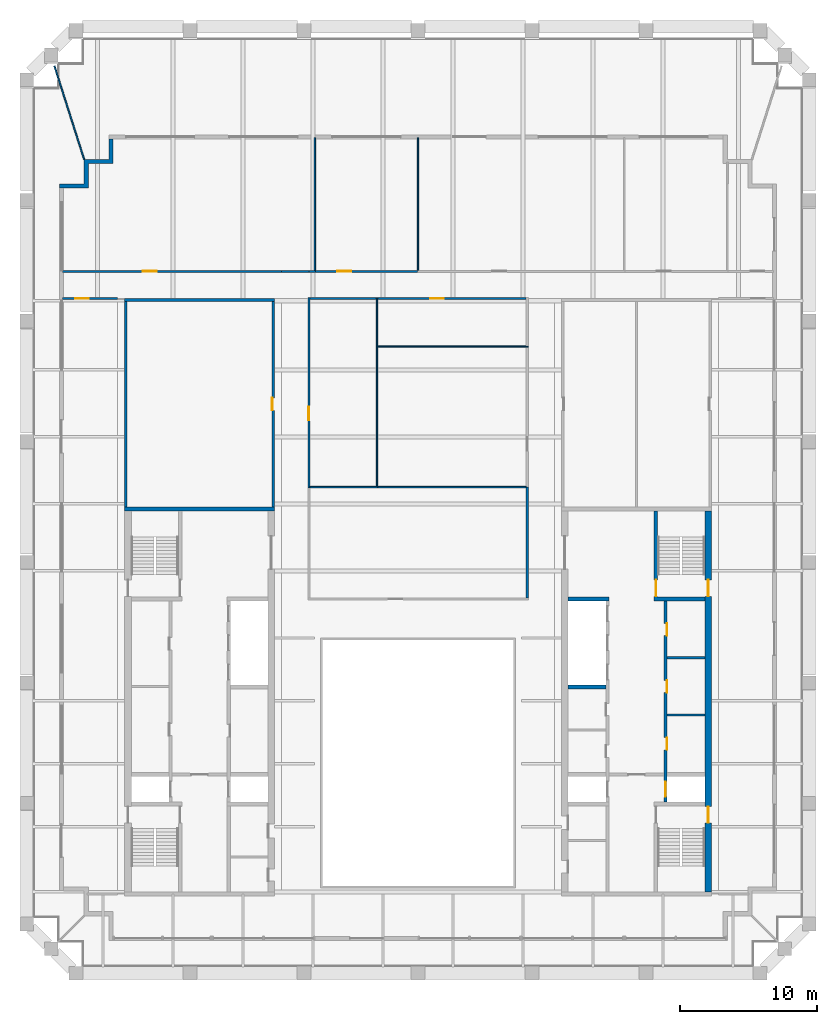
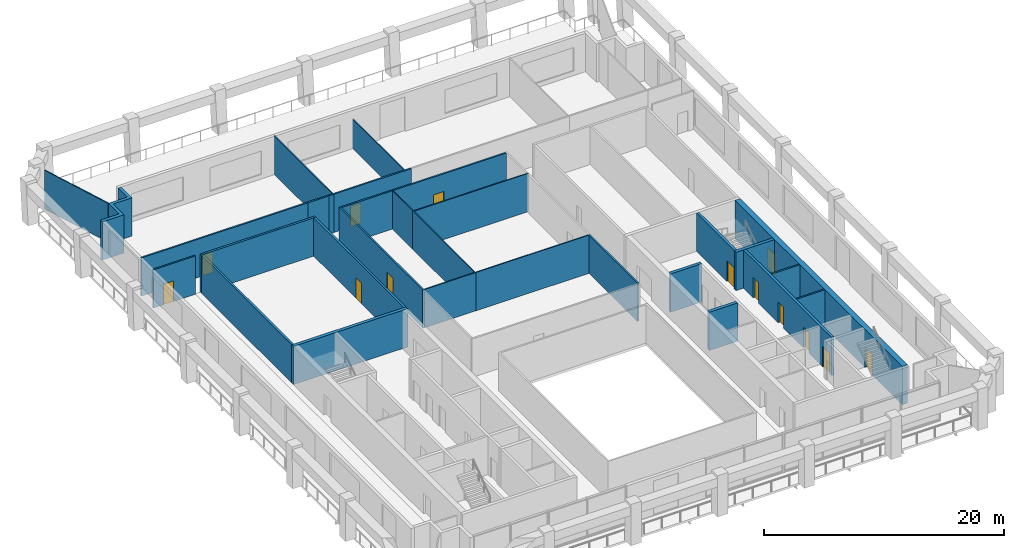
# One storey, part 7 of 10: 30 walls, 13 doors, 13 openings.
"""IFC4 building model written with IfcOpenShell, lengths in metres."""

import ifcopenshell
import ifcopenshell.guid

model = None  # the IFC model being written
_history = None  # IfcOwnerHistory: only IFC2X3 demands one
_inside = {}  # id of a spatial element -> (the spatial element, [elements in it])
_under = {}  # id of a project, library or spatial element -> (it, [spatial elements below it])
_declared = {}  # id of a project -> (the project, [libraries it declares])
_typed = {}  # id of a type object -> (the type object, [elements of that type])
_made_of = {}  # id of a material, layer set ... -> (it, [elements and type objects made of it])


def new_model(schema):
    """Start an empty IFC model of exactly this schema.

    Asked for "IFC4X3", IfcOpenShell would pick the latest addendum, in which some entities
    have other attributes; the version numbers below select the first issue.
    IFC2X3 requires an IfcOwnerHistory on every rooted entity: one is made here for all.
    """
    global model, _history
    if schema == "IFC4X3":
        model = ifcopenshell.file(schema_version=(4, 3, 0, 0))
    else:
        model = ifcopenshell.file(schema=schema)
    _inside.clear()
    _under.clear()
    _declared.clear()
    _typed.clear()
    _made_of.clear()
    _history = None
    if model.schema == "IFC2X3":
        org = make("IfcOrganization", Name="unknown")
        user = make(
            "IfcPersonAndOrganization",
            ThePerson=make("IfcPerson", FamilyName="unknown"),
            TheOrganization=org,
        )
        app = make(
            "IfcApplication",
            ApplicationDeveloper=org,
            Version="unknown",
            ApplicationFullName="unknown",
            ApplicationIdentifier="unknown",
        )
        _history = make(
            "IfcOwnerHistory",
            OwningUser=user,
            OwningApplication=app,
            ChangeAction="ADDED",
            CreationDate=0,
        )
    return model


def make(cls, **values):
    """One entity of the class cls with the attributes given. An attribute that is None is left unset."""
    return model.create_entity(
        cls, **{name: value for name, value in values.items() if value is not None}
    )


def rooted(cls, **values):
    """An entity with a GlobalId (a new one), such as an element, a storey or a relation."""
    return make(cls, GlobalId=ifcopenshell.guid.new(), OwnerHistory=_history, **values)


def si_unit(unit_type, name, prefix=None):
    """IfcSIUnit, for example si_unit("LENGTHUNIT", "METRE", prefix="MILLI")."""
    return make("IfcSIUnit", UnitType=unit_type, Prefix=prefix, Name=name)


def assignment(units):
    """IfcUnitAssignment: the units of a project."""
    return None if units is None else make("IfcUnitAssignment", Units=units)


def point(xyz):
    """IfcCartesianPoint."""
    return None if xyz is None else make("IfcCartesianPoint", Coordinates=xyz)


def direction(xyz):
    """IfcDirection."""
    return None if xyz is None else make("IfcDirection", DirectionRatios=xyz)


def frame(location, z_axis=None, x_axis=None):
    """IfcAxis2Placement3D, a coordinate frame: its origin and axes. An axis left out is left unset."""
    return make(
        "IfcAxis2Placement3D",
        Location=point(location),
        Axis=direction(z_axis),
        RefDirection=direction(x_axis),
    )


def frame_2d(location, x_axis=None):
    """IfcAxis2Placement2D, a coordinate frame in the plane: its origin and x axis."""
    return make(
        "IfcAxis2Placement2D", Location=point(location), RefDirection=direction(x_axis)
    )


def origin():
    """The frame at (0, 0, 0) with its axes left unset."""
    return frame((0.0, 0.0, 0.0))


def place(relative_to, where):
    """IfcLocalPlacement: puts the frame where relative to a parent placement (None: the world)."""
    return make(
        "IfcLocalPlacement", PlacementRelTo=relative_to, RelativePlacement=where
    )


def context(
    kind, dimensions, precision=None, world=None, true_north=None, identifier=None
):
    """IfcGeometricRepresentationContext, for example the 3D "Model" context."""
    return make(
        "IfcGeometricRepresentationContext",
        ContextIdentifier=identifier,
        ContextType=kind,
        CoordinateSpaceDimension=dimensions,
        Precision=precision,
        WorldCoordinateSystem=world,
        TrueNorth=true_north,
    )


def subcontext(parent, identifier, kind, view, scale=None):
    """IfcGeometricRepresentationSubContext, for example "Body" below "Model"."""
    return make(
        "IfcGeometricRepresentationSubContext",
        ContextIdentifier=identifier,
        ContextType=kind,
        ParentContext=parent,
        TargetScale=scale,
        TargetView=view,
    )


def project(units=None, contexts=None):
    """IfcProject with its units and contexts."""
    return rooted(
        "IfcProject",
        Name="project",
        RepresentationContexts=contexts,
        UnitsInContext=assignment(units),
    )


def spatial(cls, under=None, at=None, **own):
    """A site, building, storey or space (cls), placed at a placement, below another one or the project."""
    s = rooted(cls, ObjectPlacement=at, **own)
    if under is not None:
        _under.setdefault(under.id(), (under, []))[1].append(s)
    return s


def polyline(points):
    """IfcPolyline through the points."""
    return make("IfcPolyline", Points=[point(p) for p in points])


def profile(cls, at=None, kind="AREA", **sizes):
    """A parametric profile (cls). Its sizes go by their IFC names, for example OverallWidth=200.0."""
    return make(cls, ProfileType=kind, Position=at, **sizes)


def rectangle(**sizes):
    """IfcRectangleProfileDef."""
    return profile("IfcRectangleProfileDef", **sizes)


def outline(outer, holes=None, kind="AREA"):
    """IfcArbitraryClosedProfileDef: a profile drawn as a closed curve; with holes, ...WithVoids."""
    if holes is None:
        return make("IfcArbitraryClosedProfileDef", ProfileType=kind, OuterCurve=outer)
    return make(
        "IfcArbitraryProfileDefWithVoids",
        ProfileType=kind,
        OuterCurve=outer,
        InnerCurves=holes,
    )


def extrude(swept, where, along, depth):
    """IfcExtrudedAreaSolid: the profile swept, set in the frame where, extruded along a direction by depth."""
    return make(
        "IfcExtrudedAreaSolid",
        SweptArea=swept,
        Position=where,
        ExtrudedDirection=direction(along),
        Depth=depth,
    )


def shape(context_of_items, identifier, shape_type, items):
    """IfcShapeRepresentation: the items that make up one representation, for example the "Body"."""
    return make(
        "IfcShapeRepresentation",
        ContextOfItems=context_of_items,
        RepresentationIdentifier=identifier,
        RepresentationType=shape_type,
        Items=items,
    )


def material(Name=None, Category=None):
    """IfcMaterial."""
    return make("IfcMaterial", Name=Name, Category=Category)


def layer(
    of_material, thickness, ventilated=None, Name=None, Category=None, Priority=None
):
    """IfcMaterialLayer: one layer of a wall or slab, of a material (None: an air gap)."""
    return make(
        "IfcMaterialLayer",
        Material=of_material,
        LayerThickness=thickness,
        IsVentilated=ventilated,
        Name=Name,
        Category=Category,
        Priority=Priority,
    )


def layer_set(layers, Name=None):
    """IfcMaterialLayerSet."""
    return make("IfcMaterialLayerSet", MaterialLayers=layers, LayerSetName=Name)


def made_of(thing, what):
    """Note that an element or type object is made of a material, layer set ...; save() writes the relation."""
    if what is not None:
        _made_of.setdefault(what.id(), (what, []))[1].append(thing)
    return thing


def type_object(cls, material=None, **own):
    """A type object (cls), such as IfcWallType, which elements share."""
    return made_of(rooted(cls, **own), material)


def element(
    cls,
    number,
    at=None,
    inside=None,
    cuts=None,
    type_object=None,
    material=None,
    context=None,
    identifier="Body",
    shape_type=None,
    held_by="IfcProductDefinitionShape",
    body=None,
    shapes=None,
    **own,
):
    """One element of the class cls, such as IfcWall. Its Tag is "e" and its number.

    at: its placement. inside: the storey or other place that contains it. cuts: it is an
    opening in that element (IfcRelVoidsElement). A single representation is given by context,
    identifier, shape_type and body (its items); several are given by shapes. held_by: the class
    of the entity that holds the representations. save() writes the other relations.
    """
    e = rooted(cls, Tag="e%d" % number, ObjectPlacement=at, **own)
    if body is not None:
        shapes = [shape(context, identifier, shape_type, body)]
    if shapes is not None:
        e.Representation = make(held_by, Representations=shapes)
    if inside is not None:
        _inside.setdefault(inside.id(), (inside, []))[1].append(e)
    if cuts is not None:
        rooted(
            "IfcRelVoidsElement", RelatingBuildingElement=cuts, RelatedOpeningElement=e
        )
    if type_object is not None:
        _typed.setdefault(type_object.id(), (type_object, []))[1].append(e)
    return made_of(e, material)


def fill(opening, filler):
    """IfcRelFillsElement: the door or window that sits in an opening."""
    return rooted(
        "IfcRelFillsElement",
        RelatingOpeningElement=opening,
        RelatedBuildingElement=filler,
    )


def aggregate(whole, parts):
    """IfcRelAggregates: a whole, such as a stair, and the parts it consists of."""
    return rooted("IfcRelAggregates", RelatingObject=whole, RelatedObjects=parts)


def save(model, path):
    """Write the relations noted so far, then the file.

    IfcRelAggregates (storeys below a building ...), IfcRelContainedInSpatialStructure (elements
    in a storey), IfcRelDefinesByType, IfcRelAssociatesMaterial and IfcRelDeclares: one each for
    every whole, place, type object, material and project.
    """
    for whole, parts in _under.values():
        aggregate(whole, parts)
    for where, things in _inside.values():
        rooted(
            "IfcRelContainedInSpatialStructure",
            RelatedElements=things,
            RelatingStructure=where,
        )
    for kind, things in _typed.values():
        rooted("IfcRelDefinesByType", RelatedObjects=things, RelatingType=kind)
    for what, things in _made_of.values():
        rooted("IfcRelAssociatesMaterial", RelatedObjects=things, RelatingMaterial=what)
    for by, libraries in _declared.values():
        rooted("IfcRelDeclares", RelatingContext=by, RelatedDefinitions=libraries)
    model.write(path)


model = new_model("IFC4")

# Units and contexts
model_context = context("Model", 3, precision=1e-05, world=origin(), true_north=direction((0.0, 1.0)))
body_context = subcontext(model_context, "Body", "Model", "MODEL_VIEW")
ifc_project = project(units=[si_unit("LENGTHUNIT", "METRE"), si_unit("AREAUNIT", "SQUARE_METRE"), si_unit("VOLUMEUNIT", "CUBIC_METRE"), si_unit("PLANEANGLEUNIT", "RADIAN"), si_unit("MASSUNIT", "GRAM", prefix="KILO")], contexts=[model_context])

# Site, building, storey
site_placement = place(None, origin())
site = spatial("IfcSite", under=ifc_project, at=site_placement, CompositionType="ELEMENT")
building_placement = place(site_placement, origin())
building = spatial("IfcBuilding", under=site, at=building_placement, Name="Ogive Exchange Tower", CompositionType="ELEMENT")
storey_placement = place(building_placement, frame((0.0, 0.0, 359.39990234375)))
storey = spatial("IfcBuildingStorey", under=building, at=storey_placement, Name="L79", CompositionType="ELEMENT", Elevation=359.39990234375)

# Walls
ifc_material_1 = material(Name="Gypsum board partition")
ifc_layer_1 = layer(ifc_material_1, 0.14990234375)
ifc_layer_set_1 = layer_set([ifc_layer_1], Name="Core room partition 150 gypsum")
wall_type_1 = type_object("IfcWallType", Name="Core room partition 150 gypsum", PredefinedType="PARTITIONING", material=ifc_layer_set_1)
for number, where, z_axis, x_axis, name in (
    (1, (18.25, 10.5, 0.0), (0.0, 0.0, 1.0), (1.0, 0.0, 0.0), "E row A bay partition 1-1"),
    (2, (18.25, 14.699951171875, 0.0), (0.0, 0.0, 1.0), (1.0, 0.0, 0.0), "E row A bay partition 1-2"),
):
    element("IfcWall", number, at=place(storey_placement, frame(where, z_axis=z_axis, x_axis=x_axis)), inside=storey, type_object=wall_type_1, Name=name, PredefinedType="PARTITIONING", context=body_context, shape_type="SweptSolid", body=[
        extrude(rectangle(XDim=2.75, YDim=0.14990234375, at=frame_2d((1.375, 0.0))), origin(), (0.0, 0.0, 1.0), 3.900146484375),
    ])

# Wall, opening, door
ifc_material_2 = material(Name="Fire partition EI 60 150")
ifc_layer_2 = layer(ifc_material_2, 0.14990234375)
ifc_layer_set_2 = layer_set([ifc_layer_2], Name="Fire partition EI 60 150")
wall_type_2 = type_object("IfcWallType", Name="Fire partition EI 60 150", PredefinedType="PARTITIONING", material=ifc_layer_set_2)
wall_1_placement = place(storey_placement, frame((-26.050048828125, 43.0, 0.0), z_axis=(0.0, 0.0, 1.0), x_axis=(1.0, 0.0, 0.0)))
wall_1 = element("IfcWall", 3, at=wall_1_placement, inside=storey, type_object=wall_type_2, Name="L79-PWL-001", PredefinedType="PARTITIONING", context=body_context, shape_type="SweptSolid", body=[
    extrude(rectangle(XDim=16.050048828125, YDim=0.14990234375, at=frame_2d((8.02490234375, 0.0))), origin(), (0.0, 0.0, 1.0), 3.900146484375),
])
opening_1_placement = place(wall_1_placement, frame((5.89990234375, 0.0, 0.0)))
opening_1 = element("IfcOpeningElement", 4, at=opening_1_placement, cuts=wall_1, Name="Opening L79-I05", PredefinedType="OPENING", context=body_context, shape_type="SweptSolid", body=[
    extrude(rectangle(XDim=1.0, YDim=2.10009765625, at=frame_2d((0.5, 1.050048828125))), frame((0.0, 0.0849609375, 0.0), z_axis=(0.0, -1.0, 0.0), x_axis=(1.0, 0.0, 0.0)), (0.0, 0.0, 1.0), 0.169921875),
])
ifc_material_3 = material(Name="Fire door FD 30S 1000 x 2100")
door_type_1 = type_object("IfcDoorType", Name="Fire door FD 30S 1000 x 2100", OperationType="NOTDEFINED", PredefinedType="DOOR", material=ifc_material_3)
door_1_placement = place(opening_1_placement, origin())
door_1 = element("IfcDoor", 5, at=door_1_placement, inside=storey, type_object=door_type_1, Name="L79-IDR-005", ObjectType="DT3", OperationType="SINGLE_SWING_LEFT", OverallHeight=2.10009765625, OverallWidth=1.0, PredefinedType="DOOR", context=body_context, shape_type="SweptSolid", body=[
    extrude(rectangle(XDim=1.0, YDim=2.10009765625, at=frame_2d((0.5, 1.050048828125))), frame((0.0, 0.02490234375, 0.0), z_axis=(0.0, -1.0, 0.0), x_axis=(1.0, 0.0, 0.0)), (0.0, 0.0, 1.0), 0.050048828125),
])
fill(opening_1, door_1)

wall_2_placement = place(storey_placement, frame((-22.0, 41.0, 0.0), z_axis=(0.0, 0.0, 1.0), x_axis=(-1.0, 0.0, 0.0)))
wall_2 = element("IfcWall", 6, at=wall_2_placement, inside=storey, type_object=wall_type_2, Name="L79-PWL-003", PredefinedType="PARTITIONING", context=body_context, shape_type="SweptSolid", body=[
    extrude(rectangle(XDim=4.050048828125, YDim=0.14990234375, at=frame_2d((2.02490234375, 0.0))), origin(), (0.0, 0.0, 1.0), 3.900146484375),
])
opening_2_placement = place(wall_2_placement, frame((2.10009765625, 0.0, 0.0)))
opening_2 = element("IfcOpeningElement", 7, at=opening_2_placement, cuts=wall_2, Name="Opening L79-I10", PredefinedType="OPENING", context=body_context, shape_type="SweptSolid", body=[
    extrude(rectangle(XDim=1.0, YDim=2.10009765625, at=frame_2d((0.5, 1.050048828125))), frame((0.0, 0.0849609375, 0.0), z_axis=(0.0, -1.0, 0.0), x_axis=(1.0, 0.0, 0.0)), (0.0, 0.0, 1.0), 0.169921875),
])
door_2_placement = place(opening_2_placement, origin())
door_2 = element("IfcDoor", 8, at=door_2_placement, inside=storey, type_object=door_type_1, Name="L79-IDR-010", ObjectType="DT3", OperationType="SINGLE_SWING_LEFT", OverallHeight=2.10009765625, OverallWidth=1.0, PredefinedType="DOOR", context=body_context, shape_type="SweptSolid", body=[
    extrude(rectangle(XDim=1.0, YDim=2.10009765625, at=frame_2d((0.5, 1.050048828125))), frame((0.0, 0.02490234375, 0.0), z_axis=(0.0, -1.0, 0.0), x_axis=(1.0, 0.0, 0.0)), (0.0, 0.0, 1.0), 0.050048828125),
])
fill(opening_2, door_2)

# Wall
wall_3_placement = place(storey_placement, frame((-10.0, 43.0, 0.0), z_axis=(0.0, 0.0, 1.0), x_axis=(1.0, 0.0, 0.0)))
element("IfcWall", 9, at=wall_3_placement, inside=storey, type_object=wall_type_2, Name="L79-PWL-004", PredefinedType="PARTITIONING", context=body_context, shape_type="SweptSolid", body=[
    extrude(rectangle(XDim=2.0, YDim=0.14990234375, at=frame_2d((1.0, 0.0))), origin(), (0.0, 0.0, 1.0), 3.900146484375),
])

# Wall, opening, door
wall_4_placement = place(storey_placement, frame((-8.0, 41.074951171875, 0.0), z_axis=(0.0, 0.0, 1.0), x_axis=(0.0, -1.0, 0.0)))
wall_4 = element("IfcWall", 10, at=wall_4_placement, inside=storey, type_object=wall_type_2, Name="L79-PWL-007", PredefinedType="PARTITIONING", context=body_context, shape_type="SweptSolid", body=[
    extrude(rectangle(XDim=13.925048828125, YDim=0.14990234375, at=frame_2d((6.96240234375, 0.0))), origin(), (0.0, 0.0, 1.0), 3.900146484375),
])
opening_3_placement = place(wall_4_placement, frame((7.97509765625, 0.0, 0.0)))
opening_3 = element("IfcOpeningElement", 11, at=opening_3_placement, cuts=wall_4, Name="Opening L79-I08", PredefinedType="OPENING", context=body_context, shape_type="SweptSolid", body=[
    extrude(rectangle(XDim=1.0, YDim=2.10009765625, at=frame_2d((0.5, 1.050048828125))), frame((0.0, 0.0849609375, 0.0), z_axis=(0.0, -1.0, 0.0), x_axis=(1.0, 0.0, 0.0)), (0.0, 0.0, 1.0), 0.169921875),
])
door_3_placement = place(opening_3_placement, origin())
door_3 = element("IfcDoor", 12, at=door_3_placement, inside=storey, type_object=door_type_1, Name="L79-IDR-008", ObjectType="DT3", OperationType="SINGLE_SWING_RIGHT", OverallHeight=2.10009765625, OverallWidth=1.0, PredefinedType="DOOR", context=body_context, shape_type="SweptSolid", body=[
    extrude(rectangle(XDim=1.0, YDim=2.10009765625, at=frame_2d((0.5, 1.050048828125))), frame((0.0, 0.02490234375, 0.0), z_axis=(0.0, -1.0, 0.0), x_axis=(1.0, 0.0, 0.0)), (0.0, 0.0, 1.0), 0.050048828125),
])
fill(opening_3, door_3)

# Wall
wall_5_placement = place(storey_placement, frame((-8.0, 43.0, 0.0), z_axis=(0.0, 0.0, 1.0), x_axis=(1.0, 0.0, 0.0)))
element("IfcWall", 13, at=wall_5_placement, inside=storey, type_object=wall_type_2, Name="L79-PWL-008", PredefinedType="PARTITIONING", context=body_context, shape_type="SweptSolid", body=[
    extrude(rectangle(XDim=0.5, YDim=0.14990234375, at=frame_2d((0.25, 0.0))), origin(), (0.0, 0.0, 1.0), 3.900146484375),
])

# Wall, opening, door
wall_6_placement = place(storey_placement, frame((-7.550048828125, 43.0, 0.0), z_axis=(0.0, 0.0, 1.0), x_axis=(1.0, 0.0, 0.0)))
wall_6 = element("IfcWall", 14, at=wall_6_placement, inside=storey, type_object=wall_type_2, Name="L79-PWL-010", PredefinedType="PARTITIONING", context=body_context, shape_type="SweptSolid", body=[
    extrude(rectangle(XDim=7.5, YDim=0.14990234375, at=frame_2d((3.75, 0.0))), origin(), (0.0, 0.0, 1.0), 3.900146484375),
])
opening_4_placement = place(wall_6_placement, frame((1.64990234375, 0.0, 0.0)))
opening_4 = element("IfcOpeningElement", 15, at=opening_4_placement, cuts=wall_6, Name="Opening L79-I01", PredefinedType="OPENING", context=body_context, shape_type="SweptSolid", body=[
    extrude(rectangle(XDim=1.0, YDim=2.10009765625, at=frame_2d((0.5, 1.050048828125))), frame((0.0, 0.0849609375, 0.0), z_axis=(0.0, -1.0, 0.0), x_axis=(1.0, 0.0, 0.0)), (0.0, 0.0, 1.0), 0.169921875),
])
door_4_placement = place(opening_4_placement, origin())
door_4 = element("IfcDoor", 16, at=door_4_placement, inside=storey, type_object=door_type_1, Name="L79-IDR-001", ObjectType="DT3", OperationType="SINGLE_SWING_RIGHT", OverallHeight=2.10009765625, OverallWidth=1.0, PredefinedType="DOOR", context=body_context, shape_type="SweptSolid", body=[
    extrude(rectangle(XDim=1.0, YDim=2.10009765625, at=frame_2d((0.5, 1.050048828125))), frame((0.0, 0.02490234375, 0.0), z_axis=(0.0, -1.0, 0.0), x_axis=(1.0, 0.0, 0.0)), (0.0, 0.0, 1.0), 0.050048828125),
])
fill(opening_4, door_4)

# Walls
wall_7_placement = place(storey_placement, frame((-3.050048828125, 41.0, 0.0), z_axis=(0.0, 0.0, 1.0), x_axis=(-1.0, 0.0, 0.0)))
element("IfcWall", 17, at=wall_7_placement, inside=storey, type_object=wall_type_2, Name="L79-PWL-015", PredefinedType="PARTITIONING", context=body_context, shape_type="SweptSolid", body=[
    extrude(rectangle(XDim=4.875, YDim=0.14990234375, at=frame_2d((2.4375, 0.0))), origin(), (0.0, 0.0, 1.0), 3.900146484375),
])
wall_8_placement = place(storey_placement, frame((8.0, 19.074951171875, 0.0), z_axis=(0.0, 0.0, 1.0), x_axis=(0.0, 1.0, 0.0)))
element("IfcWall", 18, at=wall_8_placement, inside=storey, type_object=wall_type_2, Name="L79-PWL-018", PredefinedType="PARTITIONING", context=body_context, shape_type="SweptSolid", body=[
    extrude(rectangle(XDim=8.125, YDim=0.14990234375, at=frame_2d((4.0625, 0.0))), origin(), (0.0, 0.0, 1.0), 3.900146484375),
])

# Wall, opening, door
wall_9_placement = place(storey_placement, frame((7.925048828125, 41.0, 0.0), z_axis=(0.0, 0.0, 1.0), x_axis=(-1.0, 0.0, 0.0)))
wall_9 = element("IfcWall", 19, at=wall_9_placement, inside=storey, type_object=wall_type_2, Name="L79-PWL-022", PredefinedType="PARTITIONING", context=body_context, shape_type="SweptSolid", body=[
    extrude(rectangle(XDim=10.875, YDim=0.14990234375, at=frame_2d((5.4375, 0.0))), origin(), (0.0, 0.0, 1.0), 3.900146484375),
])
opening_5_placement = place(wall_9_placement, frame((6.02490234375, 0.0, 0.0)))
opening_5 = element("IfcOpeningElement", 20, at=opening_5_placement, cuts=wall_9, Name="Opening L79-I07", PredefinedType="OPENING", context=body_context, shape_type="SweptSolid", body=[
    extrude(rectangle(XDim=1.0, YDim=2.10009765625, at=frame_2d((0.5, 1.050048828125))), frame((0.0, 0.0849609375, 0.0), z_axis=(0.0, -1.0, 0.0), x_axis=(1.0, 0.0, 0.0)), (0.0, 0.0, 1.0), 0.169921875),
])
door_5_placement = place(opening_5_placement, origin())
door_5 = element("IfcDoor", 21, at=door_5_placement, inside=storey, type_object=door_type_1, Name="L79-IDR-007", ObjectType="DT3", OperationType="SINGLE_SWING_LEFT", OverallHeight=2.10009765625, OverallWidth=1.0, PredefinedType="DOOR", context=body_context, shape_type="SweptSolid", body=[
    extrude(rectangle(XDim=1.0, YDim=2.10009765625, at=frame_2d((0.5, 1.050048828125))), frame((0.0, 0.02490234375, 0.0), z_axis=(0.0, -1.0, 0.0), x_axis=(1.0, 0.0, 0.0)), (0.0, 0.0, 1.0), 0.050048828125),
])
fill(opening_5, door_5)

# Walls
ifc_material_4 = material(Name="Precast concrete C40/50", Category="concrete")
ifc_layer_3 = layer(ifc_material_4, 0.300048828125)
ifc_layer_set_3 = layer_set([ifc_layer_3], Name="Limestone-faced wall 300")
wall_type_3 = type_object("IfcWallType", Name="Limestone-faced wall 300", PredefinedType="STANDARD", material=ifc_layer_set_3)
wall_10_placement = place(storey_placement, origin())
element("IfcWall", 22, at=wall_10_placement, inside=storey, type_object=wall_type_3, Name="External corner wall C3", PredefinedType="STANDARD", context=body_context, shape_type="SweptSolid", body=[
    extrude(outline(polyline([(-24.449951171875, 49.39990234375), (-24.449951171875, 51.199951171875), (-22.64990234375, 51.199951171875), (-22.64990234375, 52.699951171875), (-22.35009765625, 52.699951171875), (-22.35009765625, 50.89990234375), (-24.14990234375, 50.89990234375), (-24.14990234375, 49.10009765625), (-26.25, 49.10009765625), (-26.25, 49.39990234375), (-24.449951171875, 49.39990234375)])), origin(), (0.0, 0.0, 1.0), 3.900146484375),
])
ifc_material_5 = material(Name="Laminated safety glass in steel frame", Category="steel")
ifc_layer_4 = layer(ifc_material_5, 0.10009765625)
ifc_layer_set_4 = layer_set([ifc_layer_4], Name="Loggia end screen 100")
wall_type_4 = type_object("IfcWallType", Name="Loggia end screen 100", PredefinedType="STANDARD", material=ifc_layer_set_4)
wall_11_placement = place(storey_placement, frame((-24.449951171875, 51.199951171875, -0.0498046875), z_axis=(0.0, 0.0, 1.0), x_axis=(-0.303785175512, 0.952740556048, 0.0)))
element("IfcWall", 23, at=wall_11_placement, inside=storey, type_object=wall_type_4, Name="Loggia end screen C3", PredefinedType="STANDARD", context=body_context, shape_type="SweptSolid", body=[
    extrude(rectangle(XDim=7.173583984375, YDim=0.10009765625, at=frame_2d((3.5869140625, 0.0))), origin(), (0.0, 0.0, 1.0), 3.949951171875),
])
ifc_material_6 = material(Name="Partition 100 gypsum")
ifc_layer_5 = layer(ifc_material_6, 0.10009765625)
ifc_layer_set_5 = layer_set([ifc_layer_5], Name="Partition 100 gypsum")
wall_type_5 = type_object("IfcWallType", Name="Partition 100 gypsum", PredefinedType="PARTITIONING", material=ifc_layer_set_5)
wall_12_placement = place(storey_placement, frame((-7.550048828125, 43.074951171875, 0.0), z_axis=(0.0, 0.0, 1.0), x_axis=(0.0, 1.0, 0.0)))
element("IfcWall", 24, at=wall_12_placement, inside=storey, type_object=wall_type_5, Name="L79-PWL-009", PredefinedType="PARTITIONING", context=body_context, shape_type="SweptSolid", body=[
    extrude(rectangle(XDim=9.72509765625, YDim=0.10009765625, at=frame_2d((4.862548828125, 0.0))), origin(), (0.0, 0.0, 1.0), 3.900146484375),
])
wall_13_placement = place(storey_placement, frame((-2.949951171875, 27.199951171875, 0.0), z_axis=(0.0, 0.0, 1.0), x_axis=(-1.0, 0.0, 0.0)))
element("IfcWall", 25, at=wall_13_placement, inside=storey, type_object=wall_type_5, Name="L79-PWL-011", PredefinedType="PARTITIONING", context=body_context, shape_type="SweptSolid", body=[
    extrude(rectangle(XDim=4.97509765625, YDim=0.10009765625, at=frame_2d((2.487548828125, 0.0))), origin(), (0.0, 0.0, 1.0), 3.900146484375),
])
wall_14_placement = place(storey_placement, frame((-3.0, 27.25, 0.0), z_axis=(0.0, 0.0, 1.0), x_axis=(0.0, 1.0, 0.0)))
element("IfcWall", 26, at=wall_14_placement, inside=storey, type_object=wall_type_5, Name="L79-PWL-012", PredefinedType="PARTITIONING", context=body_context, shape_type="SweptSolid", body=[
    extrude(rectangle(XDim=10.300048828125, YDim=0.10009765625, at=frame_2d((5.14990234375, 0.0))), origin(), (0.0, 0.0, 1.0), 3.900146484375),
])
wall_15_placement = place(storey_placement, frame((-3.0, 37.550048828125, 0.0), z_axis=(0.0, 0.0, 1.0), x_axis=(0.0, 1.0, 0.0)))
element("IfcWall", 27, at=wall_15_placement, inside=storey, type_object=wall_type_5, Name="L79-PWL-013", PredefinedType="PARTITIONING", context=body_context, shape_type="SweptSolid", body=[
    extrude(rectangle(XDim=3.52490234375, YDim=0.10009765625, at=frame_2d((1.762451171875, 0.0))), origin(), (0.0, 0.0, 1.0), 3.900146484375),
])
wall_16_placement = place(storey_placement, frame((-2.949951171875, 37.5, 0.0), z_axis=(0.0, 0.0, 1.0), x_axis=(1.0, 0.0, 0.0)))
element("IfcWall", 28, at=wall_16_placement, inside=storey, type_object=wall_type_5, Name="L79-PWL-014", PredefinedType="PARTITIONING", context=body_context, shape_type="SweptSolid", body=[
    extrude(rectangle(XDim=11.02490234375, YDim=0.10009765625, at=frame_2d((5.512451171875, 0.0))), origin(), (0.0, 0.0, 1.0), 3.900146484375),
])
wall_17_placement = place(storey_placement, frame((0.0, 52.800048828125, 0.0), z_axis=(0.0, 0.0, 1.0), x_axis=(0.0, -1.0, 0.0)))
element("IfcWall", 29, at=wall_17_placement, inside=storey, type_object=wall_type_5, Name="L79-PWL-017", PredefinedType="PARTITIONING", context=body_context, shape_type="SweptSolid", body=[
    extrude(rectangle(XDim=9.72509765625, YDim=0.10009765625, at=frame_2d((4.862548828125, 0.0))), origin(), (0.0, 0.0, 1.0), 2.97314453125),
])
wall_18_placement = place(storey_placement, frame((7.925048828125, 27.199951171875, 0.0), z_axis=(0.0, 0.0, 1.0), x_axis=(-1.0, 0.0, 0.0)))
element("IfcWall", 30, at=wall_18_placement, inside=storey, type_object=wall_type_5, Name="L79-PWL-019", PredefinedType="PARTITIONING", context=body_context, shape_type="SweptSolid", body=[
    extrude(rectangle(XDim=10.925048828125, YDim=0.10009765625, at=frame_2d((5.46240234375, 0.0))), origin(), (0.0, 0.0, 1.0), 3.900146484375),
])
ifc_material_7 = material(Name="Concrete C70/85", Category="concrete")
ifc_layer_6 = layer(ifc_material_7, 0.199951171875)
ifc_layer_set_6 = layer_set([ifc_layer_6], Name="RC core wall 200 C70/85")
wall_type_6 = type_object("IfcWallType", Name="RC core wall 200 C70/85", PredefinedType="SHEAR", material=ifc_layer_set_6)
wall_19_placement = place(storey_placement, frame((-21.39990234375, 25.75, 0.0), z_axis=(0.0, 0.0, 1.0), x_axis=(0.0, 1.0, 0.0)))
element("IfcWall", 31, at=wall_19_placement, inside=storey, type_object=wall_type_6, Name="W annex N outer wall", PredefinedType="SHEAR", context=body_context, shape_type="SweptSolid", body=[
    extrude(rectangle(XDim=15.050048828125, YDim=0.199951171875, at=frame_2d((7.52490234375, 0.0))), origin(), (0.0, 0.0, 1.0), 3.900146484375),
])

# Wall, opening, door
wall_20_placement = place(storey_placement, frame((-10.60009765625, 25.75, 0.0), z_axis=(0.0, 0.0, 1.0), x_axis=(0.0, 1.0, 0.0)))
wall_20 = element("IfcWall", 32, at=wall_20_placement, inside=storey, type_object=wall_type_6, Name="W annex N inner wall", PredefinedType="SHEAR", context=body_context, shape_type="SweptSolid", body=[
    extrude(rectangle(XDim=15.050048828125, YDim=0.199951171875, at=frame_2d((7.52490234375, 0.0))), origin(), (0.0, 0.0, 1.0), 3.900146484375),
])
opening_6_placement = place(wall_20_placement, frame((7.074951171875, 0.0, 0.0)))
opening_6 = element("IfcOpeningElement", 33, at=opening_6_placement, cuts=wall_20, Name="Opening L79-C17", PredefinedType="OPENING", context=body_context, shape_type="SweptSolid", body=[
    extrude(rectangle(XDim=0.89990234375, YDim=2.10009765625, at=frame_2d((0.449951171875, 1.050048828125))), frame((0.0, 0.10986328125, 0.0), z_axis=(0.0, -1.0, 0.0), x_axis=(1.0, 0.0, 0.0)), (0.0, 0.0, 1.0), 0.219970703125),
])
ifc_material_8 = material(Name="Timber fire door", Category="wood")
door_type_2 = type_object("IfcDoorType", Name="Core room door FD30S 900 x 2100", OperationType="NOTDEFINED", PredefinedType="DOOR", material=ifc_material_8)
door_6_placement = place(opening_6_placement, frame((0.89990234375, 0.14990234375, 0.0), z_axis=(0.0, 0.0, 1.0), x_axis=(-1.0, 0.0, 0.0)))
door_6 = element("IfcDoor", 34, at=door_6_placement, inside=storey, type_object=door_type_2, Name="Core room door", ObjectType="CD6", OperationType="SINGLE_SWING_LEFT", OverallHeight=2.10009765625, OverallWidth=0.89990234375, PredefinedType="DOOR", context=body_context, shape_type="SweptSolid", body=[
    extrude(rectangle(XDim=0.89990234375, YDim=2.10009765625, at=frame_2d((0.449951171875, 1.050048828125))), frame((0.0, 0.10009765625, 0.0), z_axis=(0.0, -1.0, 0.0), x_axis=(1.0, 0.0, 0.0)), (0.0, 0.0, 1.0), 0.050048828125),
])
fill(opening_6, door_6)

# Wall
wall_21_placement = place(storey_placement, frame((-21.5, 40.89990234375, 0.0), z_axis=(0.0, 0.0, 1.0), x_axis=(1.0, 0.0, 0.0)))
element("IfcWall", 35, at=wall_21_placement, inside=storey, type_object=wall_type_6, Name="W annex N end wall", PredefinedType="SHEAR", context=body_context, shape_type="SweptSolid", body=[
    extrude(rectangle(XDim=11.0, YDim=0.199951171875, at=frame_2d((5.5, 0.0))), origin(), (0.0, 0.0, 1.0), 3.900146484375),
])

# Wall, opening, door
ifc_layer_7 = layer(ifc_material_7, 0.25)
ifc_layer_set_7 = layer_set([ifc_layer_7], Name="RC core wall 250 C70/85")
wall_type_7 = type_object("IfcWallType", Name="RC core wall 250 C70/85", PredefinedType="SHEAR", material=ifc_layer_set_7)
wall_22_placement = place(storey_placement, frame((17.425048828125, 19.14990234375, 0.0), z_axis=(0.0, 0.0, 1.0), x_axis=(0.0, 1.0, 0.0)))
wall_22 = element("IfcWall", 36, at=wall_22_placement, inside=storey, type_object=wall_type_7, Name="E stair N front wall", PredefinedType="SHEAR", context=body_context, shape_type="SweptSolid", body=[
    extrude(rectangle(XDim=6.300048828125, YDim=0.25, at=frame_2d((3.14990234375, 0.0))), origin(), (0.0, 0.0, 1.0), 3.900146484375),
])
opening_7_placement = place(wall_22_placement, frame((0.050048828125, 0.0, 0.0)))
opening_7 = element("IfcOpeningElement", 37, at=opening_7_placement, cuts=wall_22, Name="Opening L79-C32", PredefinedType="OPENING", context=body_context, shape_type="SweptSolid", body=[
    extrude(rectangle(XDim=1.199951171875, YDim=2.10009765625, at=frame_2d((0.60009765625, 1.050048828125))), frame((0.0, 0.135009765625, 0.0), z_axis=(0.0, -1.0, 0.0), x_axis=(1.0, 0.0, 0.0)), (0.0, 0.0, 1.0), 0.27001953125),
])
ifc_material_9 = material(Name="Steel fire door", Category="steel")
door_type_3 = type_object("IfcDoorType", Name="Stair door FD90 1200 x 2100", OperationType="NOTDEFINED", PredefinedType="DOOR", material=ifc_material_9)
door_7_placement = place(opening_7_placement, frame((1.199951171875, 0.0, 0.0), z_axis=(0.0, 0.0, 1.0), x_axis=(-1.0, 0.0, 0.0)))
door_7 = element("IfcDoor", 38, at=door_7_placement, inside=storey, type_object=door_type_3, Name="Stair door", ObjectType="CD5", OperationType="SINGLE_SWING_LEFT", OverallHeight=2.10009765625, OverallWidth=1.199951171875, PredefinedType="DOOR", context=body_context, shape_type="SweptSolid", body=[
    extrude(rectangle(XDim=1.199951171875, YDim=2.10009765625, at=frame_2d((0.60009765625, 1.050048828125))), frame((0.0, 0.02490234375, 0.0), z_axis=(0.0, -1.0, 0.0), x_axis=(1.0, 0.0, 0.0)), (0.0, 0.0, 1.0), 0.050048828125),
])
fill(opening_7, door_7)

# Wall, openings, doors
wall_23_placement = place(storey_placement, frame((18.125, 4.14990234375, 0.0), z_axis=(0.0, 0.0, 1.0), x_axis=(0.0, 1.0, 0.0)))
wall_23 = element("IfcWall", 39, at=wall_23_placement, inside=storey, type_object=wall_type_7, Name="E row A front wall", PredefinedType="SHEAR", context=body_context, shape_type="SweptSolid", body=[
    extrude(rectangle(XDim=14.7001953125, YDim=0.25, at=frame_2d((7.35009765625, 0.0))), origin(), (0.0, 0.0, 1.0), 3.900146484375),
])
opening_8_placement = place(wall_23_placement, frame((3.79638671875, 0.0, 0.0)))
opening_8 = element("IfcOpeningElement", 40, at=opening_8_placement, cuts=wall_23, Name="Opening L79-C18", PredefinedType="OPENING", context=body_context, shape_type="SweptSolid", body=[
    extrude(rectangle(XDim=0.89990234375, YDim=2.10009765625, at=frame_2d((0.449951171875, 1.050048828125))), frame((0.0, 0.135009765625, 0.0), z_axis=(0.0, -1.0, 0.0), x_axis=(1.0, 0.0, 0.0)), (0.0, 0.0, 1.0), 0.27001953125),
])
opening_9_placement = place(wall_23_placement, frame((8.0, 0.0, 0.0)))
opening_9 = element("IfcOpeningElement", 41, at=opening_9_placement, cuts=wall_23, Name="Opening L79-C19", PredefinedType="OPENING", context=body_context, shape_type="SweptSolid", body=[
    extrude(rectangle(XDim=0.89990234375, YDim=2.10009765625, at=frame_2d((0.449951171875, 1.050048828125))), frame((0.0, 0.135009765625, 0.0), z_axis=(0.0, -1.0, 0.0), x_axis=(1.0, 0.0, 0.0)), (0.0, 0.0, 1.0), 0.27001953125),
])
opening_10_placement = place(wall_23_placement, frame((12.175048828125, 0.0, 0.0)))
opening_10 = element("IfcOpeningElement", 42, at=opening_10_placement, cuts=wall_23, Name="Opening L79-C20", PredefinedType="OPENING", context=body_context, shape_type="SweptSolid", body=[
    extrude(rectangle(XDim=0.89990234375, YDim=2.10009765625, at=frame_2d((0.449951171875, 1.050048828125))), frame((0.0, 0.135009765625, 0.0), z_axis=(0.0, -1.0, 0.0), x_axis=(1.0, 0.0, 0.0)), (0.0, 0.0, 1.0), 0.27001953125),
])
opening_11_placement = place(wall_23_placement, frame((0.371337890625, 0.0, 0.0)))
opening_11 = element("IfcOpeningElement", 43, at=opening_11_placement, cuts=wall_23, Name="Opening L79-C21", PredefinedType="OPENING", context=body_context, shape_type="SweptSolid", body=[
    extrude(rectangle(XDim=1.10009765625, YDim=2.10009765625, at=frame_2d((0.550048828125, 1.050048828125))), frame((0.0, 0.135009765625, 0.0), z_axis=(0.0, -1.0, 0.0), x_axis=(1.0, 0.0, 0.0)), (0.0, 0.0, 1.0), 0.27001953125),
])
ifc_material_10 = material(Name="Stainless steel", Category="steel")
door_type_4 = type_object("IfcDoorType", Name="Lift landing door FD90 1100 x 2100", OperationType="SLIDING_TO_LEFT", PredefinedType="DOOR", material=ifc_material_10)
door_8_placement = place(opening_11_placement, origin())
door_8 = element("IfcDoor", 44, at=door_8_placement, inside=storey, type_object=door_type_4, Name="Lift landing door FF2", ObjectType="LD", OperationType="SLIDING_TO_LEFT", OverallHeight=2.10009765625, OverallWidth=1.10009765625, PredefinedType="DOOR", context=body_context, shape_type="SweptSolid", body=[
    extrude(rectangle(XDim=1.10009765625, YDim=2.10009765625, at=frame_2d((0.550048828125, 1.050048828125))), frame((0.0, 0.02490234375, 0.0), z_axis=(0.0, -1.0, 0.0), x_axis=(1.0, 0.0, 0.0)), (0.0, 0.0, 1.0), 0.050048828125),
])
fill(opening_11, door_8)
door_type_5 = type_object("IfcDoorType", Name="Riser door FD60 900 x 2100", OperationType="NOTDEFINED", PredefinedType="DOOR", material=ifc_material_9)
door_9_placement = place(opening_8_placement, frame((0.89990234375, -0.2001953125, 0.0), z_axis=(0.0, 0.0, 1.0), x_axis=(-1.0, 0.0, 0.0)))
door_9 = element("IfcDoor", 45, at=door_9_placement, inside=storey, type_object=door_type_5, Name="Riser door", ObjectType="CD2", OperationType="SINGLE_SWING_RIGHT", OverallHeight=2.10009765625, OverallWidth=0.89990234375, PredefinedType="DOOR", context=body_context, shape_type="SweptSolid", body=[
    extrude(rectangle(XDim=0.89990234375, YDim=2.10009765625, at=frame_2d((0.449951171875, 1.050048828125))), frame((0.0, -0.0751953125, 0.0), z_axis=(0.0, -1.0, 0.0), x_axis=(1.0, 0.0, 0.0)), (0.0, 0.0, 1.0), 0.050048828125),
])
fill(opening_8, door_9)
door_10_placement = place(opening_9_placement, frame((0.89990234375, -0.2001953125, 0.0), z_axis=(0.0, 0.0, 1.0), x_axis=(-1.0, 0.0, 0.0)))
door_10 = element("IfcDoor", 46, at=door_10_placement, inside=storey, type_object=door_type_5, Name="Riser door", ObjectType="CD2", OperationType="SINGLE_SWING_RIGHT", OverallHeight=2.10009765625, OverallWidth=0.89990234375, PredefinedType="DOOR", context=body_context, shape_type="SweptSolid", body=[
    extrude(rectangle(XDim=0.89990234375, YDim=2.10009765625, at=frame_2d((0.449951171875, 1.050048828125))), frame((0.0, -0.0751953125, 0.0), z_axis=(0.0, -1.0, 0.0), x_axis=(1.0, 0.0, 0.0)), (0.0, 0.0, 1.0), 0.050048828125),
])
fill(opening_9, door_10)
door_11_placement = place(opening_10_placement, frame((0.89990234375, -0.2001953125, 0.0), z_axis=(0.0, 0.0, 1.0), x_axis=(-1.0, 0.0, 0.0)))
door_11 = element("IfcDoor", 47, at=door_11_placement, inside=storey, type_object=door_type_5, Name="Riser door", ObjectType="CD2", OperationType="SINGLE_SWING_LEFT", OverallHeight=2.10009765625, OverallWidth=0.89990234375, PredefinedType="DOOR", context=body_context, shape_type="SweptSolid", body=[
    extrude(rectangle(XDim=0.89990234375, YDim=2.10009765625, at=frame_2d((0.449951171875, 1.050048828125))), frame((0.0, -0.0751953125, 0.0), z_axis=(0.0, -1.0, 0.0), x_axis=(1.0, 0.0, 0.0)), (0.0, 0.0, 1.0), 0.050048828125),
])
fill(opening_10, door_11)

# Walls
ifc_layer_8 = layer(ifc_material_7, 0.300048828125)
ifc_layer_set_8 = layer_set([ifc_layer_8], Name="RC core wall 300 C70/85")
wall_type_8 = type_object("IfcWallType", Name="RC core wall 300 C70/85", PredefinedType="SHEAR", material=ifc_layer_set_8)
wall_24_placement = place(storey_placement, frame((-21.5, 25.60009765625, 0.0), z_axis=(0.0, 0.0, 1.0), x_axis=(1.0, 0.0, 0.0)))
element("IfcWall", 48, at=wall_24_placement, inside=storey, type_object=wall_type_8, Name="W north end wall", PredefinedType="SHEAR", context=body_context, shape_type="SweptSolid", body=[
    extrude(rectangle(XDim=11.0, YDim=0.300048828125, at=frame_2d((5.5, 0.0))), origin(), (0.0, 0.0, 1.0), 3.900146484375),
])
wall_25_placement = place(storey_placement, frame((17.300048828125, 19.0, 0.0), z_axis=(0.0, 0.0, 1.0), x_axis=(1.0, 0.0, 0.0)))
element("IfcWall", 49, at=wall_25_placement, inside=storey, type_object=wall_type_8, Name="E stair N south wall", PredefinedType="SHEAR", context=body_context, shape_type="SweptSolid", body=[
    extrude(rectangle(XDim=3.699951171875, YDim=0.300048828125, at=frame_2d((1.85009765625, 0.0))), origin(), (0.0, 0.0, 1.0), 3.900146484375),
])
wall_26_placement = place(storey_placement, frame((11.0, 12.5712890625, 0.0), z_axis=(0.0, 0.0, 1.0), x_axis=(1.0, 0.0, 0.0)))
element("IfcWall", 50, at=wall_26_placement, inside=storey, type_object=wall_type_8, Name="E row B divider 4", PredefinedType="SHEAR", context=body_context, shape_type="SweptSolid", body=[
    extrude(rectangle(XDim=2.75, YDim=0.300048828125, at=frame_2d((1.375, 0.0))), origin(), (0.0, 0.0, 1.0), 3.900146484375),
])
wall_27_placement = place(storey_placement, frame((11.0, 19.0, 0.0), z_axis=(0.0, 0.0, 1.0), x_axis=(1.0, 0.0, 0.0)))
element("IfcWall", 51, at=wall_27_placement, inside=storey, type_object=wall_type_8, Name="E row B divider 7", PredefinedType="SHEAR", context=body_context, shape_type="SweptSolid", body=[
    extrude(rectangle(XDim=3.0, YDim=0.300048828125, at=frame_2d((1.5, 0.0))), origin(), (0.0, 0.0, 1.0), 3.900146484375),
])

# Wall, openings, doors
ifc_layer_9 = layer(ifc_material_7, 0.5)
ifc_layer_set_9 = layer_set([ifc_layer_9], Name="RC core wall 500 C70/85")
wall_type_9 = type_object("IfcWallType", Name="RC core wall 500 C70/85", PredefinedType="SHEAR", material=ifc_layer_set_9)
wall_28_placement = place(storey_placement, frame((21.25, -2.449951171875, 0.0), z_axis=(0.0, 0.0, 1.0), x_axis=(0.0, 1.0, 0.0)))
wall_28 = element("IfcWall", 52, at=wall_28_placement, inside=storey, type_object=wall_type_9, Name="E outer wall", PredefinedType="SHEAR", context=body_context, shape_type="SweptSolid", body=[
    extrude(rectangle(XDim=27.89990234375, YDim=0.5, at=frame_2d((13.949951171875, 0.0))), origin(), (0.0, 0.0, 1.0), 3.900146484375),
])
opening_12_placement = place(wall_28_placement, frame((5.050048828125, 0.0, 0.0)))
opening_12 = element("IfcOpeningElement", 53, at=opening_12_placement, cuts=wall_28, Name="Opening L79-C31", PredefinedType="OPENING", context=body_context, shape_type="SweptSolid", body=[
    extrude(rectangle(XDim=1.199951171875, YDim=2.10009765625, at=frame_2d((0.60009765625, 1.050048828125))), frame((0.0, 0.260009765625, 0.0), z_axis=(0.0, -1.0, 0.0), x_axis=(1.0, 0.0, 0.0)), (0.0, 0.0, 1.0), 0.52001953125),
])
opening_13_placement = place(wall_28_placement, frame((21.64990234375, 0.0, 0.0)))
opening_13 = element("IfcOpeningElement", 54, at=opening_13_placement, cuts=wall_28, Name="Opening L79-C33", PredefinedType="OPENING", context=body_context, shape_type="SweptSolid", body=[
    extrude(rectangle(XDim=1.199951171875, YDim=2.10009765625, at=frame_2d((0.60009765625, 1.050048828125))), frame((0.0, 0.260009765625, 0.0), z_axis=(0.0, -1.0, 0.0), x_axis=(1.0, 0.0, 0.0)), (0.0, 0.0, 1.0), 0.52001953125),
])
door_12_placement = place(opening_12_placement, frame((1.199951171875, 0.0, 0.0), z_axis=(0.0, 0.0, 1.0), x_axis=(-1.0, 0.0, 0.0)))
door_12 = element("IfcDoor", 55, at=door_12_placement, inside=storey, type_object=door_type_3, Name="Stair door", ObjectType="CD5", OperationType="SINGLE_SWING_RIGHT", OverallHeight=2.10009765625, OverallWidth=1.199951171875, PredefinedType="DOOR", context=body_context, shape_type="SweptSolid", body=[
    extrude(rectangle(XDim=1.199951171875, YDim=2.10009765625, at=frame_2d((0.60009765625, 1.050048828125))), frame((0.0, 0.02490234375, 0.0), z_axis=(0.0, -1.0, 0.0), x_axis=(1.0, 0.0, 0.0)), (0.0, 0.0, 1.0), 0.050048828125),
])
fill(opening_12, door_12)
door_13_placement = place(opening_13_placement, frame((1.199951171875, 0.0, 0.0), z_axis=(0.0, 0.0, 1.0), x_axis=(-1.0, 0.0, 0.0)))
door_13 = element("IfcDoor", 56, at=door_13_placement, inside=storey, type_object=door_type_3, Name="Stair door", ObjectType="CD5", OperationType="SINGLE_SWING_RIGHT", OverallHeight=2.10009765625, OverallWidth=1.199951171875, PredefinedType="DOOR", context=body_context, shape_type="SweptSolid", body=[
    extrude(rectangle(XDim=1.199951171875, YDim=2.10009765625, at=frame_2d((0.60009765625, 1.050048828125))), frame((0.0, 0.02490234375, 0.0), z_axis=(0.0, -1.0, 0.0), x_axis=(1.0, 0.0, 0.0)), (0.0, 0.0, 1.0), 0.050048828125),
])
fill(opening_13, door_13)

save(model, "model.ifc")
